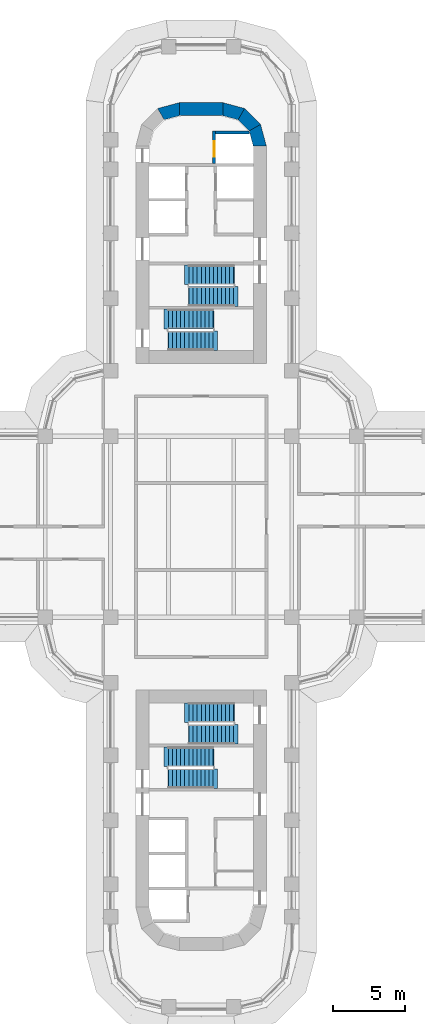
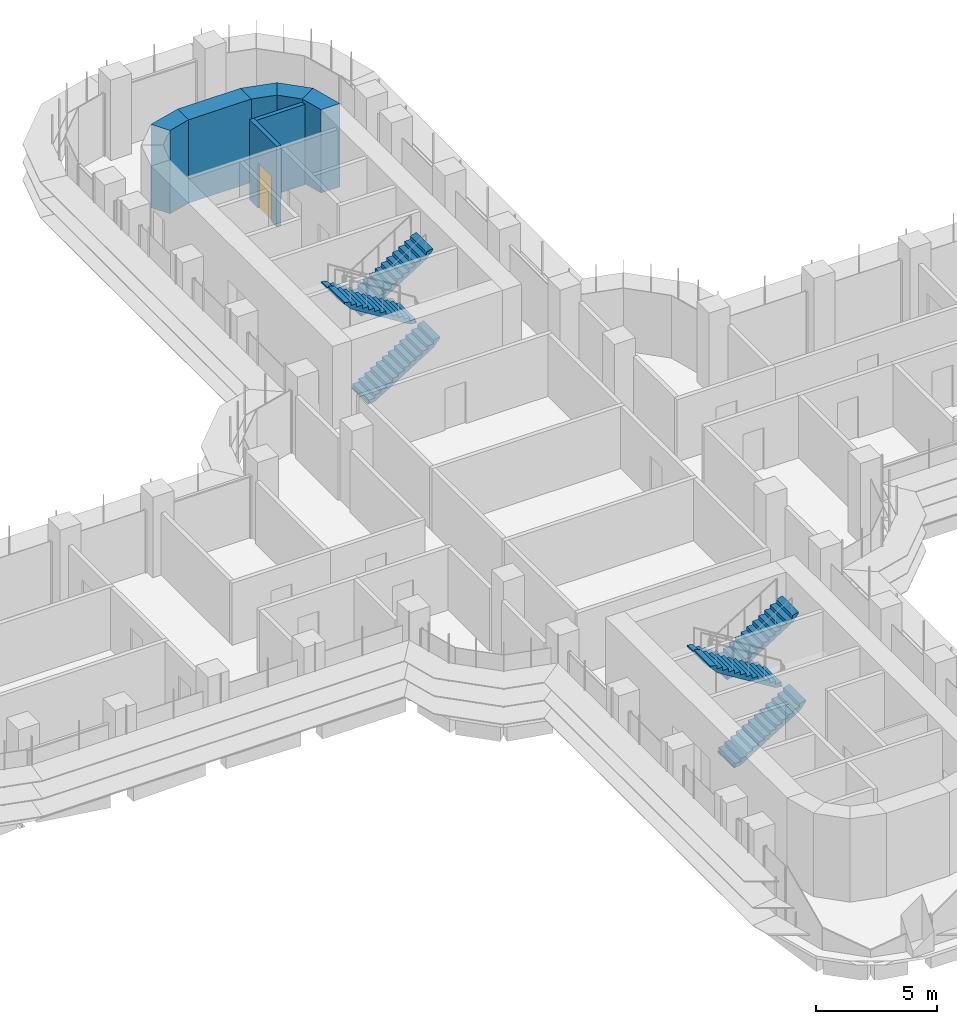
# One storey, part 19 of 23: 8 stair flights, 7 walls, 1 door, 1 opening, 4 elements without a shape of their own.
"""IFC4 building model written with IfcOpenShell, lengths in metres."""

from ifc_helpers import new_model, si_unit, direction, frame, frame_2d, origin, place, context, subcontext, project, spatial, polyline, rectangle, outline, extrude, material, layer, layer_set, type_object, element, fill, aggregate, save


model = new_model("IFC4")

# Units and contexts
model_context = context("Model", 3, precision=1e-05, world=origin(), true_north=direction((0.0, 1.0)))
body_context = subcontext(model_context, "Body", "Model", "MODEL_VIEW")
ifc_project = project(units=[si_unit("LENGTHUNIT", "METRE"), si_unit("AREAUNIT", "SQUARE_METRE"), si_unit("VOLUMEUNIT", "CUBIC_METRE"), si_unit("PLANEANGLEUNIT", "RADIAN"), si_unit("MASSUNIT", "GRAM", prefix="KILO")], contexts=[model_context])

# Site, building, storey
site_placement = place(None, origin())
site = spatial("IfcSite", under=ifc_project, at=site_placement, CompositionType="ELEMENT")
building_placement = place(site_placement, origin())
building = spatial("IfcBuilding", under=site, at=building_placement, Name="Zarbagh Exchange Tower", CompositionType="ELEMENT")
storey_placement = place(building_placement, frame((0.0, 0.0, 39.60009765625)))
storey = spatial("IfcBuildingStorey", under=building, at=storey_placement, Name="L08", CompositionType="ELEMENT", Elevation=39.60009765625)

# Walls
ifc_material_1 = material(Name="Concrete C60/75", Category="concrete")
ifc_layer_1 = layer(ifc_material_1, 0.89990234375)
ifc_layer_set_1 = layer_set([ifc_layer_1], Name="RC core corner wall 900 C60/75")
wall_type_1 = type_object("IfcWallType", Name="RC core corner wall 900 C60/75", PredefinedType="SHEAR", material=ifc_layer_set_1)
wall_1_placement = place(storey_placement, origin())
element("IfcWall", 1, at=wall_1_placement, inside=storey, type_object=wall_type_1, Name="CW2 core N corner W", PredefinedType="SHEAR", context=body_context, shape_type="SweptSolid", body=[
    extrude(outline(polyline([(-3.0, 28.84814453125), (-1.5, 29.25), (-1.5, 28.35009765625), (-2.550048828125, 28.068603515625), (-3.0, 28.84814453125)])), origin(), (0.0, 0.0, 1.0), 4.199951171875),
])
wall_2_placement = place(storey_placement, origin())
element("IfcWall", 2, at=wall_2_placement, inside=storey, type_object=wall_type_1, Name="CW2 core N corner E", PredefinedType="SHEAR", context=body_context, shape_type="SweptSolid", body=[
    extrude(outline(polyline([(4.5, 26.25), (4.09814453125, 27.75), (3.318603515625, 27.300048828125), (3.60009765625, 26.25), (4.5, 26.25)])), origin(), (0.0, 0.0, 1.0), 4.199951171875),
])
wall_3_placement = place(storey_placement, origin())
element("IfcWall", 3, at=wall_3_placement, inside=storey, type_object=wall_type_1, Name="CW2 core N corner E", PredefinedType="SHEAR", context=body_context, shape_type="SweptSolid", body=[
    extrude(outline(polyline([(4.09814453125, 27.75), (3.0, 28.84814453125), (2.550048828125, 28.068603515625), (3.318603515625, 27.300048828125), (4.09814453125, 27.75)])), origin(), (0.0, 0.0, 1.0), 4.199951171875),
])
wall_4_placement = place(storey_placement, origin())
element("IfcWall", 4, at=wall_4_placement, inside=storey, type_object=wall_type_1, Name="CW2 core N corner E", PredefinedType="SHEAR", context=body_context, shape_type="SweptSolid", body=[
    extrude(outline(polyline([(3.0, 28.84814453125), (1.5, 29.25), (1.5, 28.35009765625), (2.550048828125, 28.068603515625), (3.0, 28.84814453125)])), origin(), (0.0, 0.0, 1.0), 4.199951171875),
])
ifc_layer_2 = layer(ifc_material_1, 0.89990234375)
ifc_layer_set_2 = layer_set([ifc_layer_2], Name="RC core wall 900 C60/75")
wall_type_2 = type_object("IfcWallType", Name="RC core wall 900 C60/75", PredefinedType="SHEAR", material=ifc_layer_set_2)
wall_5_placement = place(storey_placement, frame((-1.5, 28.800048828125, 0.0), z_axis=(0.0, 0.0, 1.0), x_axis=(1.0, 0.0, 0.0)))
element("IfcWall", 5, at=wall_5_placement, inside=storey, type_object=wall_type_2, Name="CW1 core N outer end", PredefinedType="SHEAR", context=body_context, shape_type="SweptSolid", body=[
    extrude(rectangle(XDim=3.0, YDim=0.89990234375, at=frame_2d((1.5, 0.0))), origin(), (0.0, 0.0, 1.0), 4.199951171875),
])

# Wall, opening, door
ifc_material_2 = material(Name="Concrete C40/50", Category="concrete")
ifc_layer_3 = layer(ifc_material_2, 0.199951171875)
ifc_layer_set_3 = layer_set([ifc_layer_3], Name="Stair enclosure wall 200 mm RC C40/50")
wall_type_3 = type_object("IfcWallType", Name="Stair enclosure wall 200 mm RC C40/50", PredefinedType="SHEAR", material=ifc_layer_set_3)
wall_6_placement = place(storey_placement, frame((0.89990234375, 27.300048828125, 0.0), z_axis=(0.0, 0.0, 1.0), x_axis=(0.0, -1.0, 0.0)))
wall_6 = element("IfcWall", 6, at=wall_6_placement, inside=storey, type_object=wall_type_3, Name="North core lift shaft wall FFL", PredefinedType="SHEAR", context=body_context, shape_type="SweptSolid", body=[
    extrude(rectangle(XDim=2.25, YDim=0.199951171875, at=frame_2d((1.125, 0.0))), origin(), (0.0, 0.0, 1.0), 4.0498046875),
])
opening_placement = place(wall_6_placement, frame((0.699951171875, 0.0, 0.0)))
opening = element("IfcOpeningElement", 7, at=opening_placement, cuts=wall_6, Name="Opening LD-1100", PredefinedType="OPENING", context=body_context, shape_type="SweptSolid", body=[
    extrude(rectangle(XDim=1.10009765625, YDim=2.300048828125, at=frame_2d((0.550048828125, 1.14990234375))), frame((0.0, 0.10986328125, 0.0), z_axis=(0.0, -1.0, 0.0), x_axis=(1.0, 0.0, 0.0)), (0.0, 0.0, 1.0), 0.219970703125),
])
ifc_material_3 = material(Name="Stainless steel", Category="steel")
door_type = type_object("IfcDoorType", Name="Lift landing door 1100 x 2300", OperationType="NOTDEFINED", PredefinedType="DOOR", material=ifc_material_3)
door_placement = place(opening_placement, origin())
door = element("IfcDoor", 8, at=door_placement, inside=storey, type_object=door_type, Name="North core lift landing door LD-F", OperationType="DOUBLE_DOOR_SLIDING", OverallHeight=2.300048828125, OverallWidth=1.10009765625, PredefinedType="DOOR", context=body_context, shape_type="SweptSolid", body=[
    extrude(rectangle(XDim=1.10009765625, YDim=2.300048828125, at=frame_2d((0.550048828125, 1.14990234375))), frame((0.0, 0.02490234375, 0.0), z_axis=(0.0, -1.0, 0.0), x_axis=(1.0, 0.0, 0.0)), (0.0, 0.0, 1.0), 0.050048828125),
])
fill(opening, door)

# Wall
wall_7_placement = place(storey_placement, origin())
element("IfcWall", 9, at=wall_7_placement, inside=storey, type_object=wall_type_3, Name="North core lift shaft wall FFX", PredefinedType="SHEAR", context=body_context, shape_type="SweptSolid", body=[
    extrude(outline(polyline([(1.0, 27.10009765625), (3.340576171875, 27.10009765625), (3.291259765625, 27.2841796875), (3.275390625, 27.300048828125), (1.0, 27.300048828125), (1.0, 27.10009765625)])), origin(), (0.0, 0.0, 1.0), 4.0498046875),
])

# Stair, stair flights
stair_type = type_object("IfcStairType", Name="Exit stair two-flight half-turn", PredefinedType="HALF_TURN_STAIR", material=ifc_material_2)
stair_1_placement = place(storey_placement, origin())
stair_1 = element("IfcStair", 10, at=stair_1_placement, inside=storey, type_object=stair_type, Name="exit stair ST1", PredefinedType="HALF_TURN_STAIR")
stair_flight_type = type_object("IfcStairFlightType", Name="Stair flight 1350 mm", PredefinedType="STRAIGHT", material=ifc_material_2)
stair_flight_1_placement = place(storey_placement, frame((2.25, 17.375, 0.0), z_axis=(0.0, 0.0, 1.0), x_axis=(-1.0, 0.0, 0.0)))
stair_flight_1 = element("IfcStairFlight", 11, at=stair_flight_1_placement, type_object=stair_flight_type, Name="ST1 flight 1", NumberOfRisers=12, NumberOfTreads=11, PredefinedType="STRAIGHT", RiserHeight=0.175, TreadLength=0.28, context=body_context, shape_type="SweptSolid", body=[
    extrude(outline(polyline([(-0.050048828125, -0.050048828125), (-0.050048828125, 0.0), (0.0, 0.0), (0.0, 0.175048828125), (0.280029296875, 0.175048828125), (0.280029296875, 0.35009765625), (0.56005859375, 0.35009765625), (0.56005859375, 0.52490234375), (0.840087890625, 0.52490234375), (0.840087890625, 0.699951171875), (1.1201171875, 0.699951171875), (1.1201171875, 0.875), (1.39990234375, 0.875), (1.39990234375, 1.050048828125), (1.679931640625, 1.050048828125), (1.679931640625, 1.22509765625), (1.9599609375, 1.22509765625), (1.9599609375, 1.39990234375), (2.239990234375, 1.39990234375), (2.239990234375, 1.574951171875), (2.52001953125, 1.574951171875), (2.52001953125, 1.75), (2.800048828125, 1.75), (2.800048828125, 1.925048828125), (3.080078125, 1.925048828125), (3.080078125, 2.10009765625), (3.3798828125, 2.179931640625), (3.3798828125, 2.10009765625), (3.080078125, 1.748291015625), (0.28271484375, 0.0), (-0.050048828125, -0.050048828125)])), frame((0.0, 0.675048828125, 0.0), z_axis=(0.0, -1.0, 0.0), x_axis=(1.0, 0.0, 0.0)), (0.0, 0.0, 1.0), 1.35009765625),
])
stair_flight_2_placement = place(storey_placement, frame((-0.830078125, 15.875, 2.099853515625), z_axis=(0.0, 0.0, 1.0), x_axis=(1.0, 0.0, 0.0)))
stair_flight_2 = element("IfcStairFlight", 12, at=stair_flight_2_placement, type_object=stair_flight_type, Name="ST1 flight 2", NumberOfRisers=12, NumberOfTreads=11, PredefinedType="STRAIGHT", RiserHeight=0.175, TreadLength=0.28, context=body_context, shape_type="SweptSolid", body=[
    extrude(outline(polyline([(-0.050048828125, -0.050048828125), (-0.050048828125, 0.0), (0.0, 0.0), (0.0, 0.175048828125), (0.280029296875, 0.175048828125), (0.280029296875, 0.35009765625), (0.56005859375, 0.35009765625), (0.56005859375, 0.52490234375), (0.840087890625, 0.52490234375), (0.840087890625, 0.699951171875), (1.1201171875, 0.699951171875), (1.1201171875, 0.875), (1.39990234375, 0.875), (1.39990234375, 1.050048828125), (1.679931640625, 1.050048828125), (1.679931640625, 1.22509765625), (1.9599609375, 1.22509765625), (1.9599609375, 1.39990234375), (2.239990234375, 1.39990234375), (2.239990234375, 1.574951171875), (2.52001953125, 1.574951171875), (2.52001953125, 1.75), (2.800048828125, 1.75), (2.800048828125, 1.925048828125), (3.080078125, 1.925048828125), (3.080078125, 2.10009765625), (3.3798828125, 2.179931640625), (3.3798828125, 2.10009765625), (3.080078125, 1.748291015625), (0.28271484375, 0.0), (-0.050048828125, -0.050048828125)])), frame((0.0, 0.675048828125, 0.0), z_axis=(0.0, -1.0, 0.0), x_axis=(1.0, 0.0, 0.0)), (0.0, 0.0, 1.0), 1.35009765625),
])
aggregate(stair_1, [stair_flight_1, stair_flight_2])

stair_2_placement = place(storey_placement, origin())
stair_2 = element("IfcStair", 13, at=stair_2_placement, inside=storey, type_object=stair_type, Name="exit stair ST2", PredefinedType="HALF_TURN_STAIR")
stair_flight_3_placement = place(storey_placement, frame((-2.25, 12.824951171875, 0.0), z_axis=(0.0, 0.0, 1.0), x_axis=(1.0, 0.0, 0.0)))
stair_flight_3 = element("IfcStairFlight", 14, at=stair_flight_3_placement, type_object=stair_flight_type, Name="ST2 flight 1", NumberOfRisers=12, NumberOfTreads=11, PredefinedType="STRAIGHT", RiserHeight=0.175, TreadLength=0.28, context=body_context, shape_type="SweptSolid", body=[
    extrude(outline(polyline([(-0.050048828125, -0.050048828125), (-0.050048828125, 0.0), (0.0, 0.0), (0.0, 0.175048828125), (0.280029296875, 0.175048828125), (0.280029296875, 0.35009765625), (0.56005859375, 0.35009765625), (0.56005859375, 0.52490234375), (0.840087890625, 0.52490234375), (0.840087890625, 0.699951171875), (1.1201171875, 0.699951171875), (1.1201171875, 0.875), (1.39990234375, 0.875), (1.39990234375, 1.050048828125), (1.679931640625, 1.050048828125), (1.679931640625, 1.22509765625), (1.9599609375, 1.22509765625), (1.9599609375, 1.39990234375), (2.239990234375, 1.39990234375), (2.239990234375, 1.574951171875), (2.52001953125, 1.574951171875), (2.52001953125, 1.75), (2.800048828125, 1.75), (2.800048828125, 1.925048828125), (3.080078125, 1.925048828125), (3.080078125, 2.10009765625), (3.3798828125, 2.179931640625), (3.3798828125, 2.10009765625), (3.080078125, 1.748291015625), (0.28271484375, 0.0), (-0.050048828125, -0.050048828125)])), frame((0.0, 0.675048828125, 0.0), z_axis=(0.0, -1.0, 0.0), x_axis=(1.0, 0.0, 0.0)), (0.0, 0.0, 1.0), 1.35009765625),
])
stair_flight_4_placement = place(storey_placement, frame((0.830078125, 14.324951171875, 2.099853515625), z_axis=(0.0, 0.0, 1.0), x_axis=(-1.0, 0.0, 0.0)))
stair_flight_4 = element("IfcStairFlight", 15, at=stair_flight_4_placement, type_object=stair_flight_type, Name="ST2 flight 2", NumberOfRisers=12, NumberOfTreads=11, PredefinedType="STRAIGHT", RiserHeight=0.175, TreadLength=0.28, context=body_context, shape_type="SweptSolid", body=[
    extrude(outline(polyline([(-0.050048828125, -0.050048828125), (-0.050048828125, 0.0), (0.0, 0.0), (0.0, 0.175048828125), (0.280029296875, 0.175048828125), (0.280029296875, 0.35009765625), (0.56005859375, 0.35009765625), (0.56005859375, 0.52490234375), (0.840087890625, 0.52490234375), (0.840087890625, 0.699951171875), (1.1201171875, 0.699951171875), (1.1201171875, 0.875), (1.39990234375, 0.875), (1.39990234375, 1.050048828125), (1.679931640625, 1.050048828125), (1.679931640625, 1.22509765625), (1.9599609375, 1.22509765625), (1.9599609375, 1.39990234375), (2.239990234375, 1.39990234375), (2.239990234375, 1.574951171875), (2.52001953125, 1.574951171875), (2.52001953125, 1.75), (2.800048828125, 1.75), (2.800048828125, 1.925048828125), (3.080078125, 1.925048828125), (3.080078125, 2.10009765625), (3.3798828125, 2.179931640625), (3.3798828125, 2.10009765625), (3.080078125, 1.748291015625), (0.28271484375, 0.0), (-0.050048828125, -0.050048828125)])), frame((0.0, 0.675048828125, 0.0), z_axis=(0.0, -1.0, 0.0), x_axis=(1.0, 0.0, 0.0)), (0.0, 0.0, 1.0), 1.35009765625),
])
aggregate(stair_2, [stair_flight_3, stair_flight_4])

stair_3_placement = place(storey_placement, origin())
stair_3 = element("IfcStair", 16, at=stair_3_placement, inside=storey, type_object=stair_type, Name="exit stair ST3", PredefinedType="HALF_TURN_STAIR")
stair_flight_5_placement = place(storey_placement, frame((-2.25, -17.375, 0.0), z_axis=(0.0, 0.0, 1.0), x_axis=(1.0, 0.0, 0.0)))
stair_flight_5 = element("IfcStairFlight", 17, at=stair_flight_5_placement, type_object=stair_flight_type, Name="ST3 flight 1", NumberOfRisers=12, NumberOfTreads=11, PredefinedType="STRAIGHT", RiserHeight=0.175, TreadLength=0.28, context=body_context, shape_type="SweptSolid", body=[
    extrude(outline(polyline([(-0.050048828125, -0.050048828125), (-0.050048828125, 0.0), (0.0, 0.0), (0.0, 0.175048828125), (0.280029296875, 0.175048828125), (0.280029296875, 0.35009765625), (0.56005859375, 0.35009765625), (0.56005859375, 0.52490234375), (0.840087890625, 0.52490234375), (0.840087890625, 0.699951171875), (1.1201171875, 0.699951171875), (1.1201171875, 0.875), (1.39990234375, 0.875), (1.39990234375, 1.050048828125), (1.679931640625, 1.050048828125), (1.679931640625, 1.22509765625), (1.9599609375, 1.22509765625), (1.9599609375, 1.39990234375), (2.239990234375, 1.39990234375), (2.239990234375, 1.574951171875), (2.52001953125, 1.574951171875), (2.52001953125, 1.75), (2.800048828125, 1.75), (2.800048828125, 1.925048828125), (3.080078125, 1.925048828125), (3.080078125, 2.10009765625), (3.3798828125, 2.179931640625), (3.3798828125, 2.10009765625), (3.080078125, 1.748291015625), (0.28271484375, 0.0), (-0.050048828125, -0.050048828125)])), frame((0.0, 0.675048828125, 0.0), z_axis=(0.0, -1.0, 0.0), x_axis=(1.0, 0.0, 0.0)), (0.0, 0.0, 1.0), 1.35009765625),
])
stair_flight_6_placement = place(storey_placement, frame((0.830078125, -15.875, 2.099853515625), z_axis=(0.0, 0.0, 1.0), x_axis=(-1.0, 0.0, 0.0)))
stair_flight_6 = element("IfcStairFlight", 18, at=stair_flight_6_placement, type_object=stair_flight_type, Name="ST3 flight 2", NumberOfRisers=12, NumberOfTreads=11, PredefinedType="STRAIGHT", RiserHeight=0.175, TreadLength=0.28, context=body_context, shape_type="SweptSolid", body=[
    extrude(outline(polyline([(-0.050048828125, -0.050048828125), (-0.050048828125, 0.0), (0.0, 0.0), (0.0, 0.175048828125), (0.280029296875, 0.175048828125), (0.280029296875, 0.35009765625), (0.56005859375, 0.35009765625), (0.56005859375, 0.52490234375), (0.840087890625, 0.52490234375), (0.840087890625, 0.699951171875), (1.1201171875, 0.699951171875), (1.1201171875, 0.875), (1.39990234375, 0.875), (1.39990234375, 1.050048828125), (1.679931640625, 1.050048828125), (1.679931640625, 1.22509765625), (1.9599609375, 1.22509765625), (1.9599609375, 1.39990234375), (2.239990234375, 1.39990234375), (2.239990234375, 1.574951171875), (2.52001953125, 1.574951171875), (2.52001953125, 1.75), (2.800048828125, 1.75), (2.800048828125, 1.925048828125), (3.080078125, 1.925048828125), (3.080078125, 2.10009765625), (3.3798828125, 2.179931640625), (3.3798828125, 2.10009765625), (3.080078125, 1.748291015625), (0.28271484375, 0.0), (-0.050048828125, -0.050048828125)])), frame((0.0, 0.675048828125, 0.0), z_axis=(0.0, -1.0, 0.0), x_axis=(1.0, 0.0, 0.0)), (0.0, 0.0, 1.0), 1.35009765625),
])
aggregate(stair_3, [stair_flight_5, stair_flight_6])

stair_4_placement = place(storey_placement, origin())
stair_4 = element("IfcStair", 19, at=stair_4_placement, inside=storey, type_object=stair_type, Name="exit stair ST4", PredefinedType="HALF_TURN_STAIR")
stair_flight_7_placement = place(storey_placement, frame((2.25, -12.824951171875, 0.0), z_axis=(0.0, 0.0, 1.0), x_axis=(-1.0, 0.0, 0.0)))
stair_flight_7 = element("IfcStairFlight", 20, at=stair_flight_7_placement, type_object=stair_flight_type, Name="ST4 flight 1", NumberOfRisers=12, NumberOfTreads=11, PredefinedType="STRAIGHT", RiserHeight=0.175, TreadLength=0.28, context=body_context, shape_type="SweptSolid", body=[
    extrude(outline(polyline([(-0.050048828125, -0.050048828125), (-0.050048828125, 0.0), (0.0, 0.0), (0.0, 0.175048828125), (0.280029296875, 0.175048828125), (0.280029296875, 0.35009765625), (0.56005859375, 0.35009765625), (0.56005859375, 0.52490234375), (0.840087890625, 0.52490234375), (0.840087890625, 0.699951171875), (1.1201171875, 0.699951171875), (1.1201171875, 0.875), (1.39990234375, 0.875), (1.39990234375, 1.050048828125), (1.679931640625, 1.050048828125), (1.679931640625, 1.22509765625), (1.9599609375, 1.22509765625), (1.9599609375, 1.39990234375), (2.239990234375, 1.39990234375), (2.239990234375, 1.574951171875), (2.52001953125, 1.574951171875), (2.52001953125, 1.75), (2.800048828125, 1.75), (2.800048828125, 1.925048828125), (3.080078125, 1.925048828125), (3.080078125, 2.10009765625), (3.3798828125, 2.179931640625), (3.3798828125, 2.10009765625), (3.080078125, 1.748291015625), (0.28271484375, 0.0), (-0.050048828125, -0.050048828125)])), frame((0.0, 0.675048828125, 0.0), z_axis=(0.0, -1.0, 0.0), x_axis=(1.0, 0.0, 0.0)), (0.0, 0.0, 1.0), 1.35009765625),
])
stair_flight_8_placement = place(storey_placement, frame((-0.830078125, -14.324951171875, 2.099853515625), z_axis=(0.0, 0.0, 1.0), x_axis=(1.0, 0.0, 0.0)))
stair_flight_8 = element("IfcStairFlight", 21, at=stair_flight_8_placement, type_object=stair_flight_type, Name="ST4 flight 2", NumberOfRisers=12, NumberOfTreads=11, PredefinedType="STRAIGHT", RiserHeight=0.175, TreadLength=0.28, context=body_context, shape_type="SweptSolid", body=[
    extrude(outline(polyline([(-0.050048828125, -0.050048828125), (-0.050048828125, 0.0), (0.0, 0.0), (0.0, 0.175048828125), (0.280029296875, 0.175048828125), (0.280029296875, 0.35009765625), (0.56005859375, 0.35009765625), (0.56005859375, 0.52490234375), (0.840087890625, 0.52490234375), (0.840087890625, 0.699951171875), (1.1201171875, 0.699951171875), (1.1201171875, 0.875), (1.39990234375, 0.875), (1.39990234375, 1.050048828125), (1.679931640625, 1.050048828125), (1.679931640625, 1.22509765625), (1.9599609375, 1.22509765625), (1.9599609375, 1.39990234375), (2.239990234375, 1.39990234375), (2.239990234375, 1.574951171875), (2.52001953125, 1.574951171875), (2.52001953125, 1.75), (2.800048828125, 1.75), (2.800048828125, 1.925048828125), (3.080078125, 1.925048828125), (3.080078125, 2.10009765625), (3.3798828125, 2.179931640625), (3.3798828125, 2.10009765625), (3.080078125, 1.748291015625), (0.28271484375, 0.0), (-0.050048828125, -0.050048828125)])), frame((0.0, 0.675048828125, 0.0), z_axis=(0.0, -1.0, 0.0), x_axis=(1.0, 0.0, 0.0)), (0.0, 0.0, 1.0), 1.35009765625),
])
aggregate(stair_4, [stair_flight_7, stair_flight_8])

save(model, "model.ifc")
